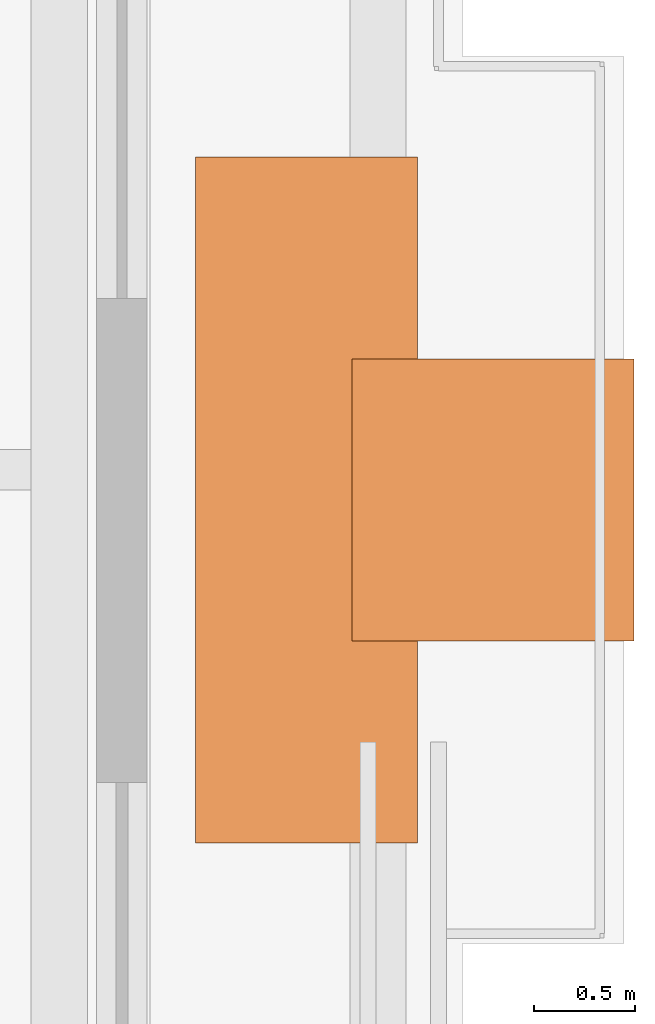
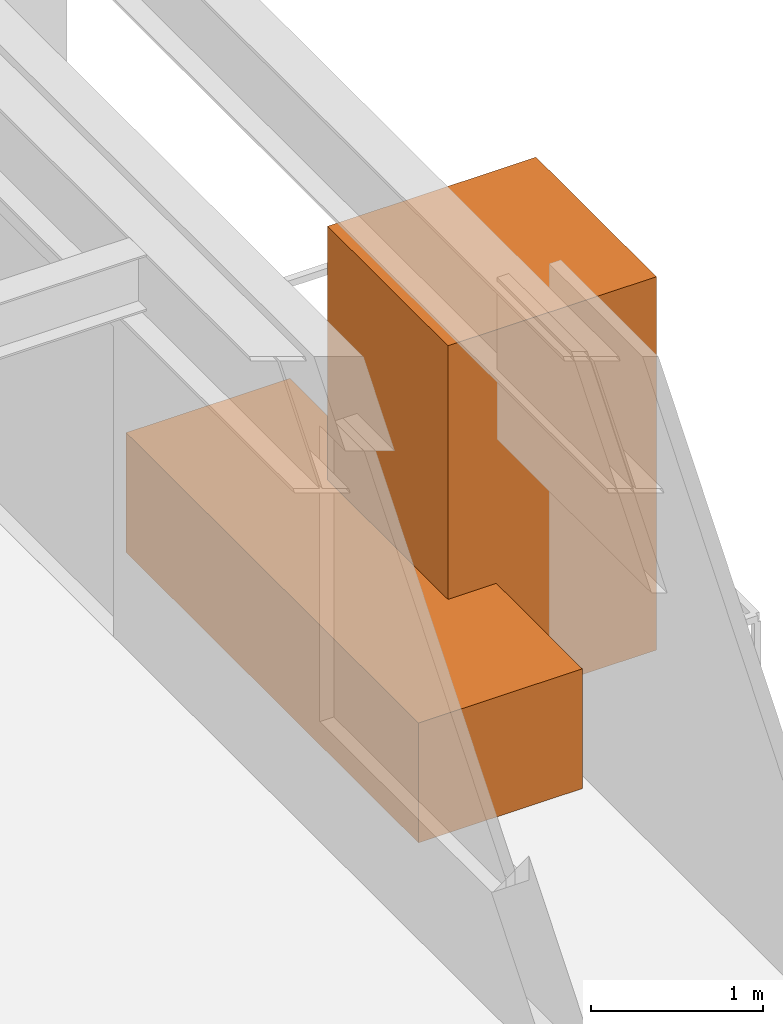
# One storey, part 33 of 33: 2 proxies.
"""IFC4 building model written with IfcOpenShell, lengths in metres."""

from ifc_helpers import new_model, si_unit, direction, frame, origin, origin_2d, place, context, subcontext, project, spatial, rectangle, extrude, material, type_object, element, save


model = new_model("IFC4")

# Units and contexts
model_context = context("Model", 3, precision=1e-05, world=origin(), true_north=direction((0.0, 1.0)))
body_context = subcontext(model_context, "Body", "Model", "MODEL_VIEW")
ifc_project = project(units=[si_unit("LENGTHUNIT", "METRE"), si_unit("AREAUNIT", "SQUARE_METRE"), si_unit("VOLUMEUNIT", "CUBIC_METRE"), si_unit("PLANEANGLEUNIT", "RADIAN"), si_unit("MASSUNIT", "GRAM", prefix="KILO")], contexts=[model_context])

# Site, building, storey
site_placement = place(None, origin())
site = spatial("IfcSite", under=ifc_project, at=site_placement, CompositionType="ELEMENT")
building_placement = place(site_placement, origin())
building = spatial("IfcBuilding", under=site, at=building_placement, Name="Brelmoor Portico Tower", CompositionType="ELEMENT")
storey_placement = place(building_placement, frame((0.0, 0.0, 183.89990234375)))
storey = spatial("IfcBuildingStorey", under=building, at=storey_placement, Name="L48", CompositionType="ELEMENT", Elevation=183.89990234375)

# Proxies
ifc_material_1 = material(Name="Planted Canopy Tree and Soil Rootball", Category="other")
building_element_proxy_type_1 = type_object("IfcBuildingElementProxyType", Name="BALCONY TREE ARBOR", PredefinedType="USERDEFINED", material=ifc_material_1)
proxy_1_placement = place(storey_placement, frame((22.699951171875, -3.39990234375, 0.000244140625), z_axis=(0.0, 0.0, 1.0), x_axis=(1.0, 0.0, 0.0)))
element("IfcBuildingElementProxy", 1, at=proxy_1_placement, inside=storey, type_object=building_element_proxy_type_1, Name="L48 Balcony PLANTER Tree Canopy Arbor E", ObjectType="PLANTER", PredefinedType="USERDEFINED", context=body_context, shape_type="SweptSolid", body=[
    extrude(rectangle(XDim=1.39990234375, YDim=1.39990234375, at=origin_2d()), origin(), (0.0, 0.0, 1.0), 2.64990234375),
])
ifc_material_2 = material(Name="Architectural Precast Concrete C40", Category="concrete")
building_element_proxy_type_2 = type_object("IfcBuildingElementProxyType", Name="TREE PLANTER", PredefinedType="USERDEFINED", material=ifc_material_2)
proxy_2_placement = place(storey_placement, frame((21.77490234375, -3.39990234375, 0.0), z_axis=(0.0, 0.0, 1.0), x_axis=(0.0, 1.0, 0.0)))
element("IfcBuildingElementProxy", 2, at=proxy_2_placement, inside=storey, type_object=building_element_proxy_type_2, Name="L48 Planted Tree Planter E", ObjectType="PLANTER", PredefinedType="USERDEFINED", context=body_context, shape_type="SweptSolid", body=[
    extrude(rectangle(XDim=3.39990234375, YDim=1.10009765625, at=origin_2d()), origin(), (0.0, 0.0, 1.0), 0.85009765625),
])

save(model, "model.ifc")
